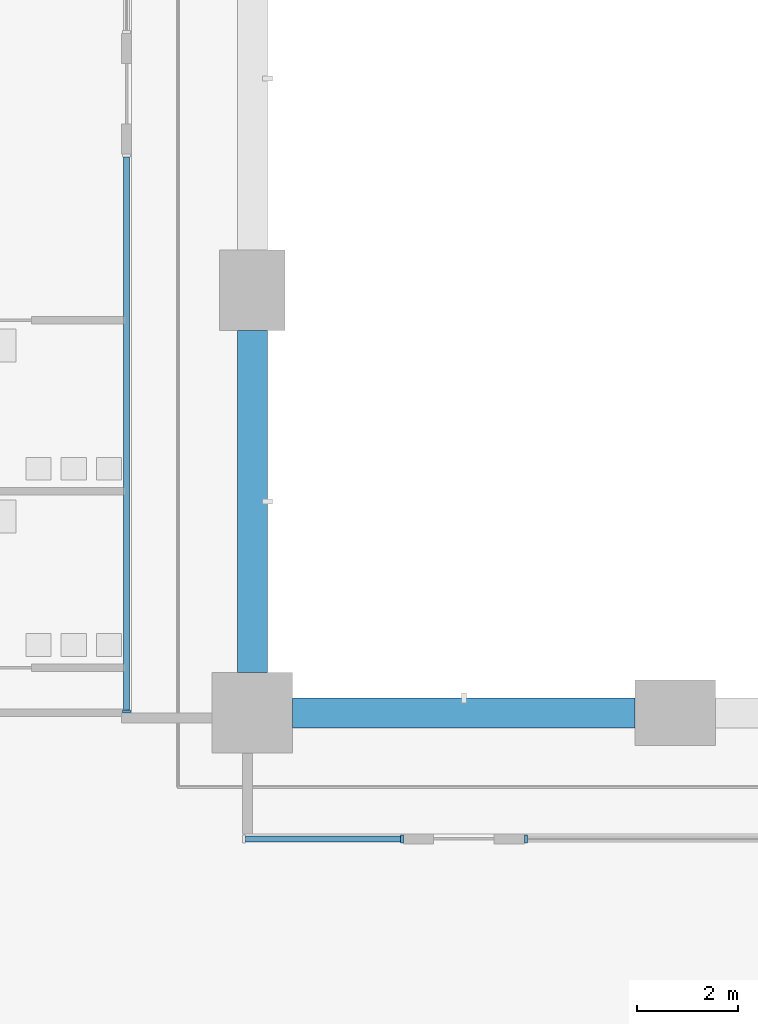
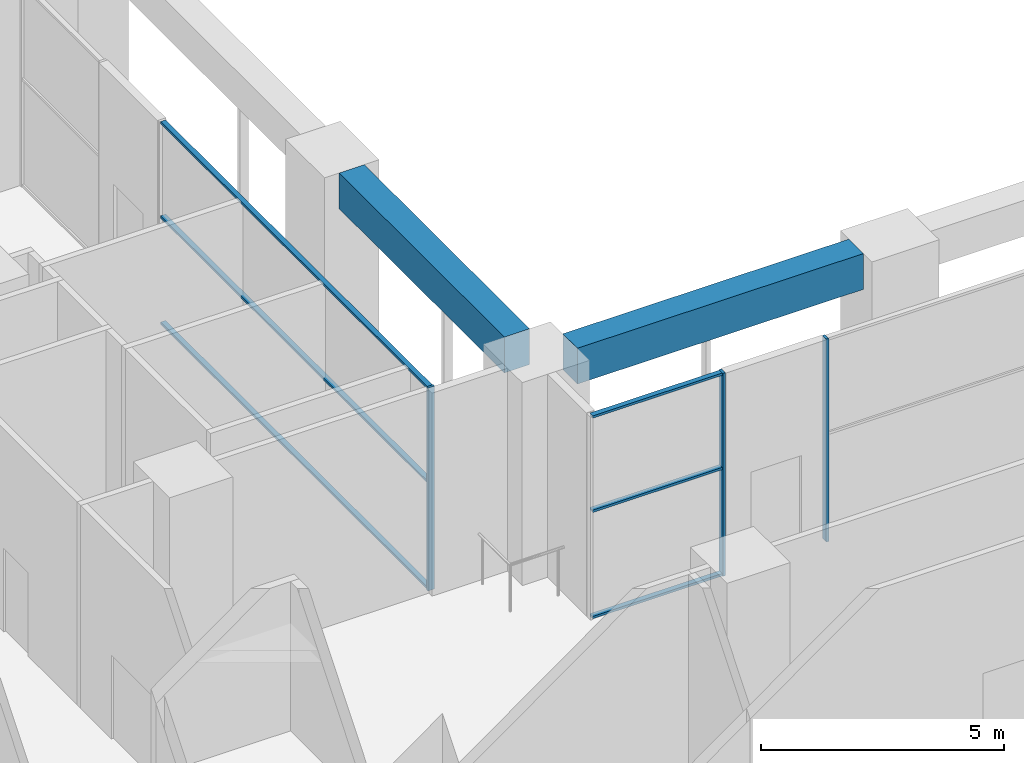
# One storey, part 5 of 33: 9 members, 2 beams, 3 elements without a shape of their own.
"""IFC4 building model written with IfcOpenShell, lengths in metres."""

from ifc_helpers import new_model, si_unit, direction, frame, origin, origin_2d, place, context, subcontext, project, spatial, rectangle, extrude, material, material_profile, profile_set, type_object, element, aggregate, save


model = new_model("IFC4")

# Units and contexts
model_context = context("Model", 3, precision=1e-05, world=origin(), true_north=direction((0.0, 1.0)))
body_context = subcontext(model_context, "Body", "Model", "MODEL_VIEW")
ifc_project = project(units=[si_unit("LENGTHUNIT", "METRE"), si_unit("AREAUNIT", "SQUARE_METRE"), si_unit("VOLUMEUNIT", "CUBIC_METRE"), si_unit("PLANEANGLEUNIT", "RADIAN"), si_unit("MASSUNIT", "GRAM", prefix="KILO")], contexts=[model_context])

# Site, building, storey
site_placement = place(None, origin())
site = spatial("IfcSite", under=ifc_project, at=site_placement, CompositionType="ELEMENT")
building_placement = place(site_placement, origin())
building = spatial("IfcBuilding", under=site, at=building_placement, Name="Vermilion Gate Residences", CompositionType="ELEMENT")
storey_placement = place(building_placement, frame((0.0, 0.0, 14.39990234375)))
storey = spatial("IfcBuildingStorey", under=building, at=storey_placement, Name="L02", CompositionType="ELEMENT", Elevation=14.39990234375)

# Curtain wall, member
ifc_material_1 = material(Name="Aluminium and glass", Category="aluminium")
curtain_wall_type = type_object("IfcCurtainWallType", Name="AMENITY GLAZING CURTAIN WALL", PredefinedType="NOTDEFINED", material=ifc_material_1)
curtain_wall_1_placement = place(storey_placement, origin())
curtain_wall_1 = element("IfcCurtainWall", 1, at=curtain_wall_1_placement, inside=storey, type_object=curtain_wall_type, Name="Amenity Glazing 130", PredefinedType="NOTDEFINED")
ifc_material_2 = material(Name="Aluminium", Category="aluminium")
ifc_material_profile_1 = material_profile(ifc_material_2, rectangle(XDim=0.159912109375, YDim=0.06005859375, at=origin_2d()), Name="MULLION 60 X 160")
ifc_profile_set_1 = profile_set([ifc_material_profile_1], Name="Aluminium")
member_type_1 = type_object("IfcMemberType", Name="AMENITY GLAZING MULLION 60 X 160", PredefinedType="MULLION", material=ifc_profile_set_1)
member_1_placement = place(storey_placement, frame((30.6298828125, 22.699951171875, 0.0), z_axis=(0.0, 0.0, 1.0), x_axis=(0.0, -1.0, 0.0)))
member_1 = element("IfcMember", 2, at=member_1_placement, type_object=member_type_1, Name="ECW2 mullion 2", PredefinedType="MULLION", context=body_context, shape_type="SweptSolid", body=[
    extrude(rectangle(XDim=0.159912109375, YDim=0.06005859375, at=origin_2d()), origin(), (0.0, 0.0, 1.0), 5.10009765625),
])
aggregate(curtain_wall_1, [member_1])

curtain_wall_2_placement = place(storey_placement, origin())
curtain_wall_2 = element("IfcCurtainWall", 3, at=curtain_wall_2_placement, inside=storey, type_object=curtain_wall_type, Name="Amenity Glazing 132", PredefinedType="NOTDEFINED")
member_2_placement = place(storey_placement, frame((28.169921875, 22.699951171875, 0.0), z_axis=(0.0, 0.0, 1.0), x_axis=(0.0, -1.0, 0.0)))
member_2 = element("IfcMember", 4, at=member_2_placement, type_object=member_type_1, Name="ECW2 mullion 1", PredefinedType="MULLION", context=body_context, shape_type="SweptSolid", body=[
    extrude(rectangle(XDim=0.159912109375, YDim=0.06005859375, at=origin_2d()), origin(), (0.0, 0.0, 1.0), 5.10009765625),
])

curtain_wall_3_placement = place(storey_placement, origin())
curtain_wall_3 = element("IfcCurtainWall", 5, at=curtain_wall_3_placement, inside=storey, type_object=curtain_wall_type, Name="Amenity Glazing 160", PredefinedType="NOTDEFINED")
member_3_placement = place(storey_placement, frame((22.699951171875, 25.22998046875, 0.0), z_axis=(0.0, 0.0, 1.0), x_axis=(-1.0, 0.0, 0.0)))
member_3 = element("IfcMember", 6, at=member_3_placement, type_object=member_type_1, Name="ECW2 mullion 1", PredefinedType="MULLION", context=body_context, shape_type="SweptSolid", body=[
    extrude(rectangle(XDim=0.159912109375, YDim=0.06005859375, at=origin_2d()), origin(), (0.0, 0.0, 1.0), 5.10009765625),
])

# Member
ifc_material_3 = material(Name="Aluminium", Category="aluminium")
ifc_material_profile_2 = material_profile(ifc_material_3, rectangle(XDim=0.1201171875, YDim=0.06005859375, at=origin_2d()), Name="TRANSOM 60 X 120")
ifc_profile_set_2 = profile_set([ifc_material_profile_2], Name="Aluminium")
member_type_2 = type_object("IfcMemberType", Name="AMENITY GLAZING TRANSOM 60 X 120", PredefinedType="MULLION", material=ifc_profile_set_2)
member_4_placement = place(storey_placement, frame((28.139892578125, 22.699951171875, 0.030029296875), z_axis=(-1.0, 0.0, 0.0), x_axis=(0.0, -1.0, 0.0)))
member_4 = element("IfcMember", 7, at=member_4_placement, type_object=member_type_2, Name="ECW2 transom 1.1", PredefinedType="MULLION", context=body_context, shape_type="SweptSolid", body=[
    extrude(rectangle(XDim=0.1201171875, YDim=0.06005859375, at=origin_2d()), origin(), (0.0, 0.0, 1.0), 3.079833984375),
])

member_5_placement = place(storey_placement, frame((28.139892578125, 22.699951171875, 2.7001953125), z_axis=(-1.0, 0.0, 0.0), x_axis=(0.0, -1.0, 0.0)))
member_5 = element("IfcMember", 8, at=member_5_placement, type_object=member_type_2, Name="ECW2 transom 1.2", PredefinedType="MULLION", context=body_context, shape_type="SweptSolid", body=[
    extrude(rectangle(XDim=0.1201171875, YDim=0.06005859375, at=origin_2d()), origin(), (0.0, 0.0, 1.0), 3.079833984375),
])

member_6_placement = place(storey_placement, frame((28.139892578125, 22.699951171875, 5.070068359375), z_axis=(-1.0, 0.0, 0.0), x_axis=(0.0, -1.0, 0.0)))
member_6 = element("IfcMember", 9, at=member_6_placement, type_object=member_type_2, Name="ECW2 transom 1.3", PredefinedType="MULLION", context=body_context, shape_type="SweptSolid", body=[
    extrude(rectangle(XDim=0.1201171875, YDim=0.06005859375, at=origin_2d()), origin(), (0.0, 0.0, 1.0), 3.079833984375),
])

aggregate(curtain_wall_2, [member_2, member_4, member_5, member_6])

member_7_placement = place(storey_placement, frame((22.699951171875, 25.260009765625, 0.030029296875), z_axis=(0.0, 1.0, 0.0), x_axis=(-1.0, 0.0, 0.0)))
member_7 = element("IfcMember", 10, at=member_7_placement, type_object=member_type_2, Name="ECW2 transom 1.1", PredefinedType="MULLION", context=body_context, shape_type="SweptSolid", body=[
    extrude(rectangle(XDim=0.1201171875, YDim=0.06005859375, at=origin_2d()), origin(), (0.0, 0.0, 1.0), 10.97998046875),
])

member_8_placement = place(storey_placement, frame((22.699951171875, 25.260009765625, 2.7001953125), z_axis=(0.0, 1.0, 0.0), x_axis=(-1.0, 0.0, 0.0)))
member_8 = element("IfcMember", 11, at=member_8_placement, type_object=member_type_2, Name="ECW2 transom 1.2", PredefinedType="MULLION", context=body_context, shape_type="SweptSolid", body=[
    extrude(rectangle(XDim=0.1201171875, YDim=0.06005859375, at=origin_2d()), origin(), (0.0, 0.0, 1.0), 10.97998046875),
])

member_9_placement = place(storey_placement, frame((22.699951171875, 25.260009765625, 5.070068359375), z_axis=(0.0, 1.0, 0.0), x_axis=(-1.0, 0.0, 0.0)))
member_9 = element("IfcMember", 12, at=member_9_placement, type_object=member_type_2, Name="ECW2 transom 1.3", PredefinedType="MULLION", context=body_context, shape_type="SweptSolid", body=[
    extrude(rectangle(XDim=0.1201171875, YDim=0.06005859375, at=origin_2d()), origin(), (0.0, 0.0, 1.0), 10.97998046875),
])

aggregate(curtain_wall_3, [member_3, member_7, member_8, member_9])

# Beams
ifc_material_4 = material(Name="Concrete C60 red-oxide pigmented", Category="concrete")
ifc_material_profile_3 = material_profile(ifc_material_4, rectangle(XDim=0.60009765625, YDim=0.89990234375, at=origin_2d()), Name="RC-600x900")
ifc_profile_set_3 = profile_set([ifc_material_profile_3], Name="Concrete C60 red-oxide pigmented")
beam_type = type_object("IfcBeamType", Name="RC EDGE BEAM 600 X 900 C60", PredefinedType="BEAM", material=ifc_profile_set_3)
for number, where, z_axis, x_axis, name in (
    (13, (25.199951171875, 26.0, 4.650146484375), (0.0, 1.0, 0.0), (-1.0, 0.0, 0.0), "Edge beam L02 12"),
    (14, (26.0, 25.199951171875, 4.650146484375), (1.0, 0.0, 0.0), (0.0, 1.0, 0.0), "Edge beam L02 15"),
):
    element("IfcBeam", number, at=place(storey_placement, frame(where, z_axis=z_axis, x_axis=x_axis)), inside=storey, type_object=beam_type, Name=name, PredefinedType="BEAM", context=body_context, shape_type="SweptSolid", body=[
        extrude(rectangle(XDim=0.60009765625, YDim=0.89990234375, at=origin_2d()), origin(), (0.0, 0.0, 1.0), 6.800048828125),
    ])

save(model, "model.ifc")
